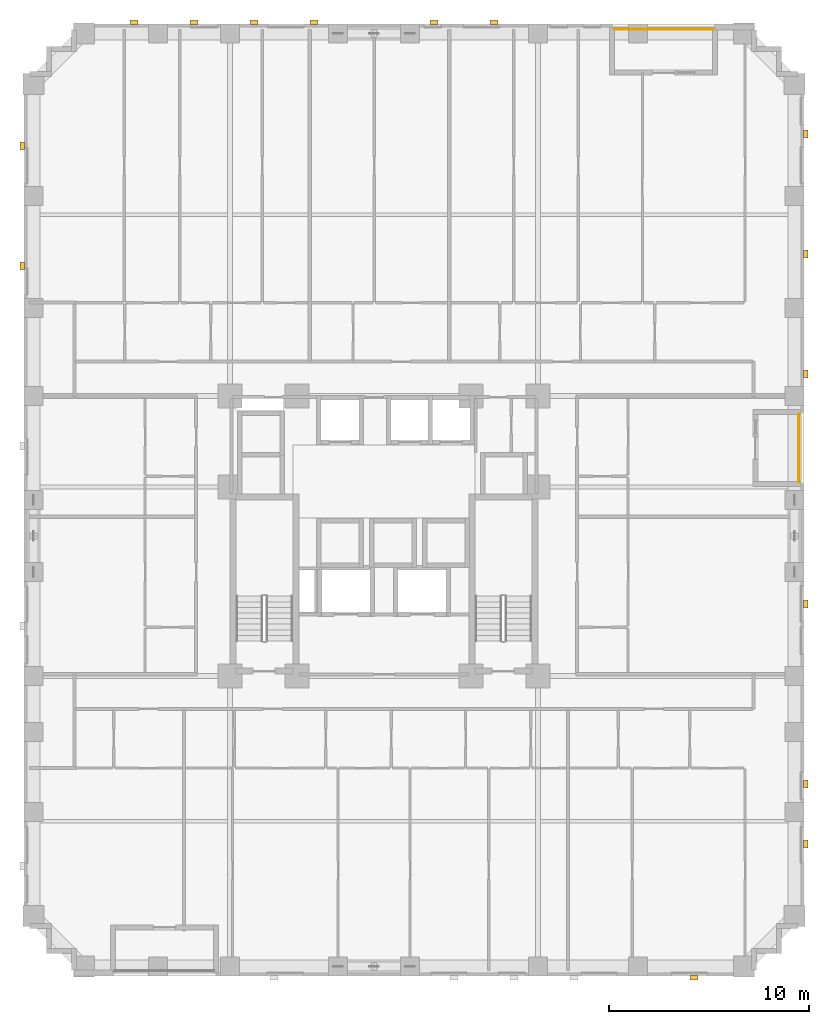
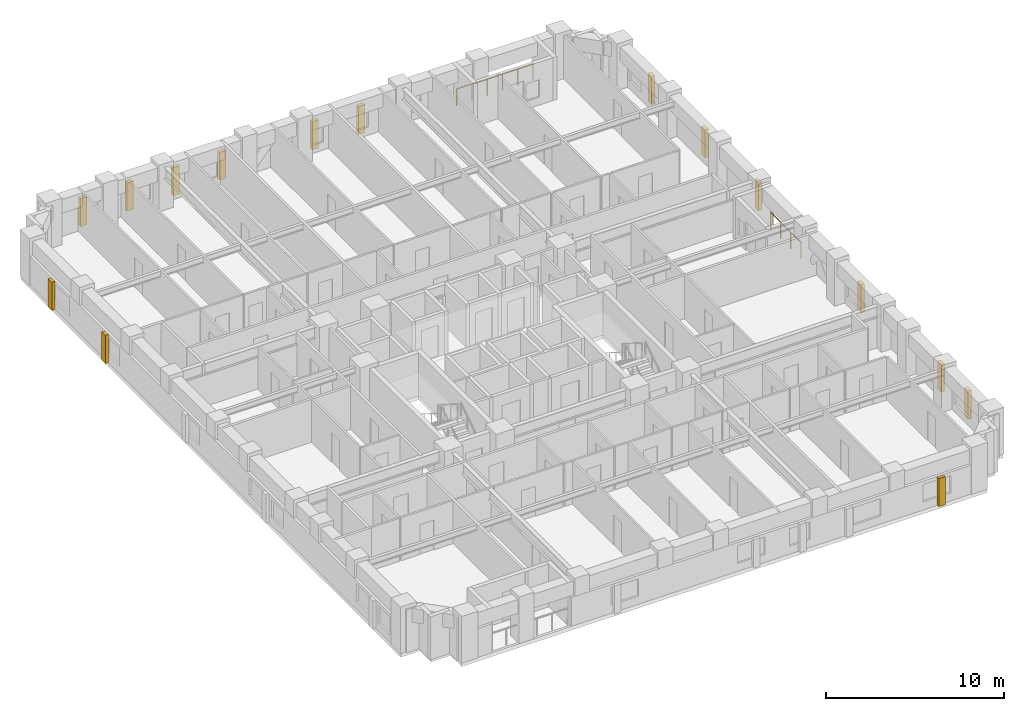
# One storey, part 13 of 13: 15 coverings, 2 railings.
"""IFC4 building model written with IfcOpenShell, lengths in metres."""

from ifc_helpers import new_model, si_unit, derived_unit, direction, frame, origin, origin_2d, place, context, subcontext, project, spatial, rectangle, circle, extrude, material, layer, layer_set, type_object, element, save


model = new_model("IFC4")

# Units and contexts
model_context = context("Model", 3, precision=1e-05, world=origin(), true_north=direction((0.0, 1.0)))
body_context = subcontext(model_context, "Body", "Model", "MODEL_VIEW")
ifc_project = project(units=[si_unit("LENGTHUNIT", "METRE"), si_unit("AREAUNIT", "SQUARE_METRE"), si_unit("VOLUMEUNIT", "CUBIC_METRE"), si_unit("PLANEANGLEUNIT", "RADIAN"), si_unit("MASSUNIT", "GRAM", prefix="KILO"), derived_unit("THERMALTRANSMITTANCEUNIT", [(si_unit("MASSUNIT", "GRAM", prefix="KILO"), 1), (si_unit("TIMEUNIT", "SECOND"), -3), (si_unit("THERMODYNAMICTEMPERATUREUNIT", "KELVIN"), -1)])], contexts=[model_context])

# Site, building, storey
site_placement = place(None, origin())
site = spatial("IfcSite", under=ifc_project, at=site_placement, CompositionType="ELEMENT")
building_placement = place(site_placement, origin())
building = spatial("IfcBuilding", under=site, at=building_placement, Name="Korrvale Station Residences", CompositionType="ELEMENT")
storey_placement = place(building_placement, frame((0.0, 0.0, 35.39990234375)))
storey = spatial("IfcBuildingStorey", under=building, at=storey_placement, Name="L08", CompositionType="ELEMENT", Elevation=35.39990234375)

# Coverings
ifc_material_1 = material(Name="Architectural precast concrete C45/55", Category="concrete")
ifc_layer = layer(ifc_material_1, 0.219970703125, Name="Architectural precast concrete C45/55")
ifc_layer_set = layer_set([ifc_layer], Name="Architectural precast concrete C45/55")
covering_type = type_object("IfcCoveringType", Name="COV-PIER-400", PredefinedType="CLADDING", material=ifc_layer_set)
for number, where, z_axis, x_axis, name in (
    (1, (41.0, -0.090087890625, 0.02490234375), (0.0, 0.0, 1.0), (1.0, 0.0, 0.0), "L08 Architectural Precast Facade Pier 01"),
    (2, (13.0, 47.68994140625, 0.02490234375), (0.0, 0.0, 1.0), (1.0, 0.0, 0.0), "L08 Architectural Precast Facade Pier 06"),
    (3, (16.0, 47.68994140625, 0.02490234375), (0.0, 0.0, 1.0), (1.0, 0.0, 0.0), "L08 Architectural Precast Facade Pier 07"),
    (4, (19.0, 47.68994140625, 0.02490234375), (0.0, 0.0, 1.0), (1.0, 0.0, 0.0), "L08 Architectural Precast Facade Pier 08"),
    (5, (22.0, 47.68994140625, 0.02490234375), (0.0, 0.0, 1.0), (1.0, 0.0, 0.0), "L08 Architectural Precast Facade Pier 09"),
    (6, (28.0, 47.68994140625, 0.02490234375), (0.0, 0.0, 1.0), (1.0, 0.0, 0.0), "L08 Architectural Precast Facade Pier 10"),
    (7, (31.0, 47.68994140625, 0.02490234375), (0.0, 0.0, 1.0), (1.0, 0.0, 0.0), "L08 Architectural Precast Facade Pier 11"),
    (8, (7.409912109375, 35.5, 0.02490234375), (0.0, 0.0, 1.0), (0.0, 1.0, 0.0), "L08 Architectural Precast Facade Pier 15"),
    (9, (7.409912109375, 41.5, 0.02490234375), (0.0, 0.0, 1.0), (0.0, 1.0, 0.0), "L08 Architectural Precast Facade Pier 16"),
    (10, (46.590087890625, 42.10009765625, 0.02490234375), (0.0, 0.0, 1.0), (0.0, 1.0, 0.0), "L08 Architectural Precast Facade Pier 17"),
    (11, (46.590087890625, 36.10009765625, 0.02490234375), (0.0, 0.0, 1.0), (0.0, 1.0, 0.0), "L08 Architectural Precast Facade Pier 18"),
    (12, (46.590087890625, 30.10009765625, 0.02490234375), (0.0, 0.0, 1.0), (0.0, 1.0, 0.0), "L08 Architectural Precast Facade Pier 19"),
    (13, (46.590087890625, 18.60009765625, 0.02490234375), (0.0, 0.0, 1.0), (0.0, 1.0, 0.0), "L08 Architectural Precast Facade Pier 20"),
    (14, (46.590087890625, 9.60009765625, 0.02490234375), (0.0, 0.0, 1.0), (0.0, 1.0, 0.0), "L08 Architectural Precast Facade Pier 21"),
    (15, (46.590087890625, 6.60009765625, 0.02490234375), (0.0, 0.0, 1.0), (0.0, 1.0, 0.0), "L08 Architectural Precast Facade Pier 22"),
):
    element("IfcCovering", number, at=place(storey_placement, frame(where, z_axis=z_axis, x_axis=x_axis)), inside=storey, type_object=covering_type, Name=name, PredefinedType="CLADDING", context=body_context, shape_type="SweptSolid", body=[
        extrude(rectangle(XDim=0.419921875, YDim=0.219970703125, at=origin_2d()), origin(), (0.0, 0.0, 1.0), 1.925048828125),
    ])

# Railings
ifc_material_2 = material(Name="Powder-coated aluminium picket loggia guard", Category="aluminium")
railing_type = type_object("IfcRailingType", Name="RLG-BAL-1150", PredefinedType="GUARDRAIL", material=ifc_material_2)
railing_1_placement = place(storey_placement, frame((37.0, 47.330078125, 0.0)))
element("IfcRailing", 16, at=railing_1_placement, inside=storey, type_object=railing_type, Name="L08 Recessed Loggia Guardrail BAL-L08-N1", PredefinedType="GUARDRAIL", context=body_context, shape_type="SweptSolid", body=[
    extrude(circle(Radius=0.02392578125, at=origin_2d()), frame((0.0, 0.0, 1.1259765625), z_axis=(1.0, 0.0, 0.0), x_axis=(0.0, 1.0, 0.0)), (0.0, 0.0, 1.0), 4.949951171875),
    extrude(circle(Radius=0.02099609375, at=origin_2d()), origin(), (0.0, 0.0, 1.0), 1.101806640625),
    extrude(circle(Radius=0.02099609375, at=origin_2d()), frame((0.989990234375, 0.0, 0.0)), (0.0, 0.0, 1.0), 1.101806640625),
    extrude(circle(Radius=0.02099609375, at=origin_2d()), frame((1.97998046875, 0.0, 0.0)), (0.0, 0.0, 1.0), 1.101806640625),
    extrude(circle(Radius=0.02099609375, at=origin_2d()), frame((2.969970703125, 0.0, 0.0)), (0.0, 0.0, 1.0), 1.101806640625),
    extrude(circle(Radius=0.02099609375, at=origin_2d()), frame((3.9599609375, 0.0, 0.0)), (0.0, 0.0, 1.0), 1.101806640625),
    extrude(circle(Radius=0.02099609375, at=origin_2d()), frame((4.949951171875, 0.0, 0.0)), (0.0, 0.0, 1.0), 1.101806640625),
])
railing_2_placement = place(storey_placement, frame((46.22998046875, 24.699951171875, 0.0)))
element("IfcRailing", 17, at=railing_2_placement, inside=storey, type_object=railing_type, Name="L08 Recessed Loggia Guardrail BAL-L08-E1", PredefinedType="GUARDRAIL", context=body_context, shape_type="SweptSolid", body=[
    extrude(circle(Radius=0.02392578125, at=origin_2d()), frame((0.0, 0.0, 1.1259765625), z_axis=(0.0, 1.0, 0.0), x_axis=(-1.0, 0.0, 0.0)), (0.0, 0.0, 1.0), 3.400146484375),
    extrude(circle(Radius=0.02099609375, at=origin_2d()), origin(), (0.0, 0.0, 1.0), 1.101806640625),
    extrude(circle(Radius=0.02099609375, at=origin_2d()), frame((0.0, 1.13330078125, 0.0)), (0.0, 0.0, 1.0), 1.101806640625),
    extrude(circle(Radius=0.02099609375, at=origin_2d()), frame((0.0, 2.266845703125, 0.0)), (0.0, 0.0, 1.0), 1.101806640625),
    extrude(circle(Radius=0.02099609375, at=origin_2d()), frame((0.0, 3.400146484375, 0.0)), (0.0, 0.0, 1.0), 1.101806640625),
])

save(model, "model.ifc")
